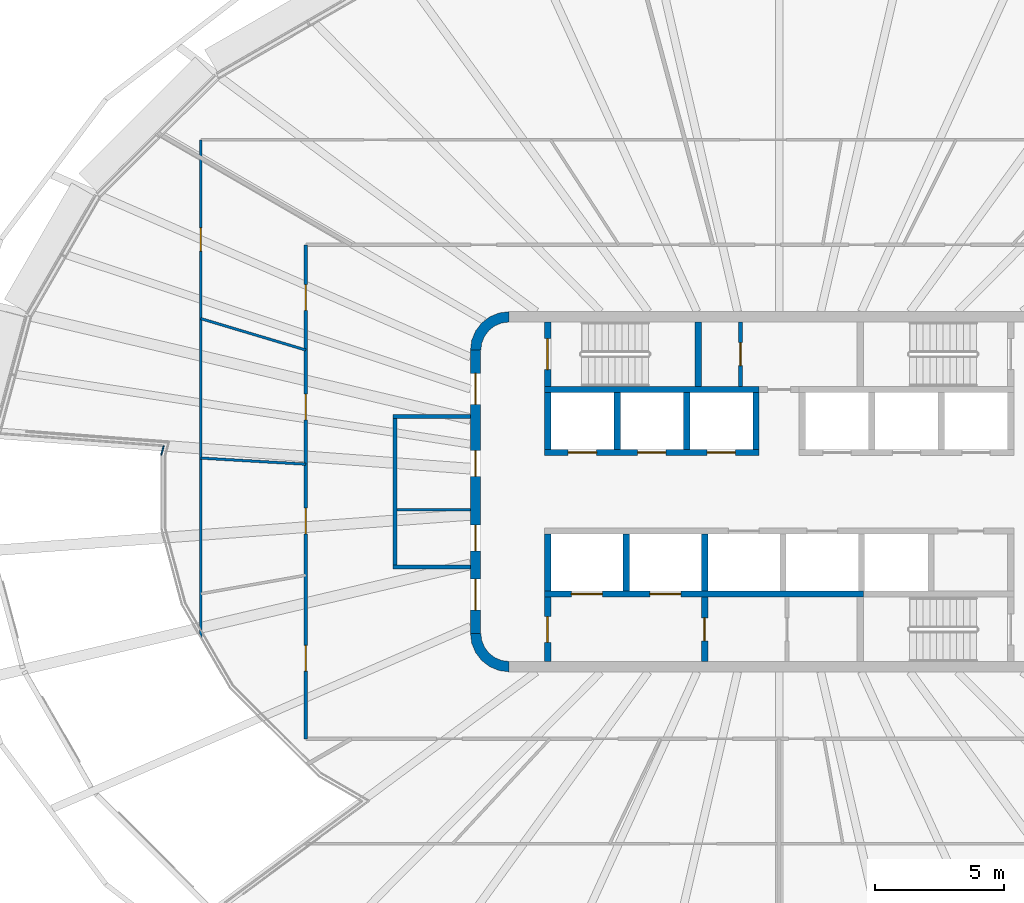
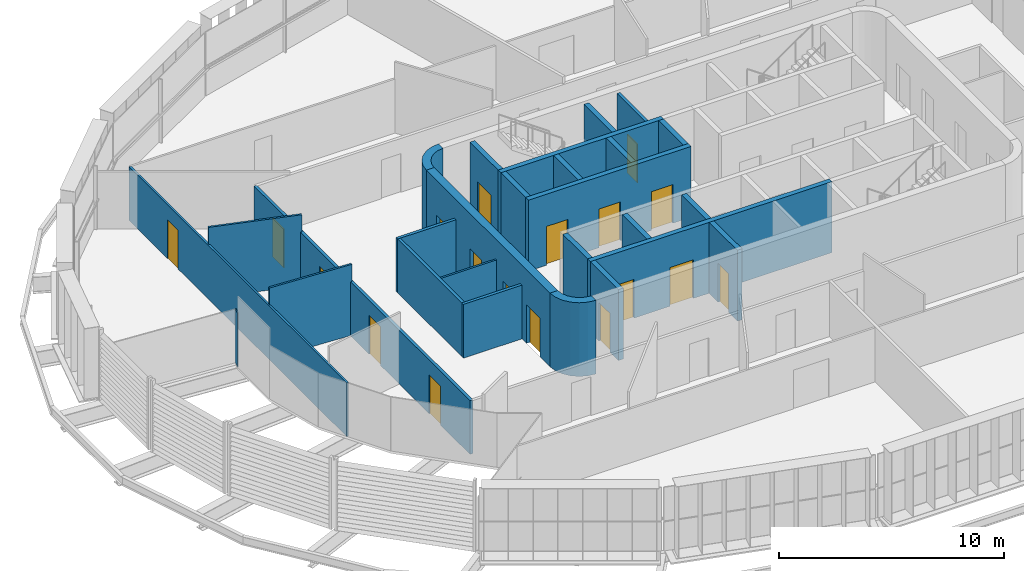
# One storey, part 10 of 20: 27 walls, 18 doors, 18 openings.
"""IFC4 building model written with IfcOpenShell, lengths in metres."""

from ifc_helpers import new_model, si_unit, direction, frame, frame_2d, origin, place, context, subcontext, project, spatial, polyline, rectangle, outline, extrude, material, layer, layer_set, type_object, element, fill, save


model = new_model("IFC4")

# Units and contexts
model_context = context("Model", 3, precision=1e-05, world=origin(), true_north=direction((0.0, 1.0)))
body_context = subcontext(model_context, "Body", "Model", "MODEL_VIEW")
ifc_project = project(units=[si_unit("LENGTHUNIT", "METRE"), si_unit("AREAUNIT", "SQUARE_METRE"), si_unit("VOLUMEUNIT", "CUBIC_METRE"), si_unit("PLANEANGLEUNIT", "RADIAN"), si_unit("MASSUNIT", "GRAM", prefix="KILO")], contexts=[model_context])

# Site, building, storey
site_placement = place(None, origin())
site = spatial("IfcSite", under=ifc_project, at=site_placement, CompositionType="ELEMENT")
building_placement = place(site_placement, origin())
building = spatial("IfcBuilding", under=site, at=building_placement, Name="Sahrelin Media Tower", CompositionType="ELEMENT")
storey_placement = place(building_placement, frame((0.0, 0.0, 225.60009765625)))
storey = spatial("IfcBuildingStorey", under=building, at=storey_placement, Name="L48", CompositionType="ELEMENT", Elevation=225.60009765625)

# Wall, openings, doors
ifc_material_1 = material(Name="Concrete C60/75", Category="concrete")
ifc_layer_1 = layer(ifc_material_1, 0.39990234375)
ifc_layer_set_1 = layer_set([ifc_layer_1], Name="Core wall 400")
wall_type_1 = type_object("IfcWallType", Name="Core wall 400", PredefinedType="SHEAR", material=ifc_layer_set_1)
wall_1_placement = place(storey_placement, frame((-11.800048828125, -5.5, 0.0), z_axis=(0.0, 0.0, 1.0), x_axis=(0.0, 1.0, 0.0)))
wall_1 = element("IfcWall", 1, at=wall_1_placement, inside=storey, type_object=wall_type_1, Name="Core wall W L48", PredefinedType="SHEAR", context=body_context, shape_type="SweptSolid", body=[
    extrude(rectangle(XDim=11.0, YDim=0.39990234375, at=frame_2d((5.5, 0.0))), origin(), (0.0, 0.0, 1.0), 4.0),
])
opening_1_placement = place(wall_1_placement, frame((3.199951171875, 0.0, 0.0)))
opening_1 = element("IfcOpeningElement", 2, at=opening_1_placement, cuts=wall_1, Name="Opening L48-D10", PredefinedType="OPENING", context=body_context, shape_type="SweptSolid", body=[
    extrude(rectangle(XDim=1.0, YDim=2.10009765625, at=frame_2d((0.5, 1.050048828125))), frame((0.0, 0.199951171875, 0.0), z_axis=(0.0, -1.0, 0.0), x_axis=(1.0, 0.0, 0.0)), (0.0, 0.0, 1.0), 0.39990234375),
])
opening_2_placement = place(wall_1_placement, frame((6.10009765625, 0.0, 0.0)))
opening_2 = element("IfcOpeningElement", 3, at=opening_2_placement, cuts=wall_1, Name="Opening L48-D11", PredefinedType="OPENING", context=body_context, shape_type="SweptSolid", body=[
    extrude(rectangle(XDim=1.0, YDim=2.10009765625, at=frame_2d((0.5, 1.050048828125))), frame((0.0, 0.199951171875, 0.0), z_axis=(0.0, -1.0, 0.0), x_axis=(1.0, 0.0, 0.0)), (0.0, 0.0, 1.0), 0.39990234375),
])
opening_3_placement = place(wall_1_placement, frame((0.89990234375, 0.0, 0.0)))
opening_3 = element("IfcOpeningElement", 4, at=opening_3_placement, cuts=wall_1, Name="Opening L48-D14", PredefinedType="OPENING", context=body_context, shape_type="SweptSolid", body=[
    extrude(rectangle(XDim=1.199951171875, YDim=2.10009765625, at=frame_2d((0.60009765625, 1.050048828125))), frame((0.0, 0.199951171875, 0.0), z_axis=(0.0, -1.0, 0.0), x_axis=(1.0, 0.0, 0.0)), (0.0, 0.0, 1.0), 0.39990234375),
])
opening_4_placement = place(wall_1_placement, frame((8.89990234375, 0.0, 0.0)))
opening_4 = element("IfcOpeningElement", 5, at=opening_4_placement, cuts=wall_1, Name="Opening L48-D15", PredefinedType="OPENING", context=body_context, shape_type="SweptSolid", body=[
    extrude(rectangle(XDim=1.199951171875, YDim=2.10009765625, at=frame_2d((0.60009765625, 1.050048828125))), frame((0.0, 0.199951171875, 0.0), z_axis=(0.0, -1.0, 0.0), x_axis=(1.0, 0.0, 0.0)), (0.0, 0.0, 1.0), 0.39990234375),
])
ifc_material_2 = material(Name="Steel fire door leaf", Category="steel")
door_type_1 = type_object("IfcDoorType", Name="Fire door 1000 x 2100 EI 60", OperationType="NOTDEFINED", PredefinedType="DOOR", material=ifc_material_2)
door_1_placement = place(opening_1_placement, origin())
door_1 = element("IfcDoor", 6, at=door_1_placement, inside=storey, type_object=door_type_1, Name="Core room door", OperationType="SINGLE_SWING_RIGHT", OverallHeight=2.10009765625, OverallWidth=1.0, PredefinedType="DOOR", context=body_context, shape_type="SweptSolid", body=[
    extrude(rectangle(XDim=1.0, YDim=2.10009765625, at=frame_2d((0.5, 1.050048828125))), frame((0.0, 0.02490234375, 0.0), z_axis=(0.0, -1.0, 0.0), x_axis=(1.0, 0.0, 0.0)), (0.0, 0.0, 1.0), 0.050048828125),
])
fill(opening_1, door_1)
door_2_placement = place(opening_2_placement, origin())
door_2 = element("IfcDoor", 7, at=door_2_placement, inside=storey, type_object=door_type_1, Name="Core room door", OperationType="SINGLE_SWING_RIGHT", OverallHeight=2.10009765625, OverallWidth=1.0, PredefinedType="DOOR", context=body_context, shape_type="SweptSolid", body=[
    extrude(rectangle(XDim=1.0, YDim=2.10009765625, at=frame_2d((0.5, 1.050048828125))), frame((0.0, 0.02490234375, 0.0), z_axis=(0.0, -1.0, 0.0), x_axis=(1.0, 0.0, 0.0)), (0.0, 0.0, 1.0), 0.050048828125),
])
fill(opening_2, door_2)
door_type_2 = type_object("IfcDoorType", Name="Lobby door 1200 x 2100 EI 60", OperationType="NOTDEFINED", PredefinedType="DOOR", material=ifc_material_2)
door_3_placement = place(opening_3_placement, origin())
door_3 = element("IfcDoor", 8, at=door_3_placement, inside=storey, type_object=door_type_2, Name="Lobby door", OperationType="SINGLE_SWING_LEFT", OverallHeight=2.10009765625, OverallWidth=1.199951171875, PredefinedType="DOOR", context=body_context, shape_type="SweptSolid", body=[
    extrude(rectangle(XDim=1.199951171875, YDim=2.10009765625, at=frame_2d((0.60009765625, 1.050048828125))), frame((0.0, 0.02490234375, 0.0), z_axis=(0.0, -1.0, 0.0), x_axis=(1.0, 0.0, 0.0)), (0.0, 0.0, 1.0), 0.050048828125),
])
fill(opening_3, door_3)
door_4_placement = place(opening_4_placement, origin())
door_4 = element("IfcDoor", 9, at=door_4_placement, inside=storey, type_object=door_type_2, Name="Lobby door", OperationType="SINGLE_SWING_LEFT", OverallHeight=2.10009765625, OverallWidth=1.199951171875, PredefinedType="DOOR", context=body_context, shape_type="SweptSolid", body=[
    extrude(rectangle(XDim=1.199951171875, YDim=2.10009765625, at=frame_2d((0.60009765625, 1.050048828125))), frame((0.0, 0.02490234375, 0.0), z_axis=(0.0, -1.0, 0.0), x_axis=(1.0, 0.0, 0.0)), (0.0, 0.0, 1.0), 0.050048828125),
])
fill(opening_4, door_4)

# Walls
placement = place(storey_placement, origin())
element("IfcWall", 10, at=placement, inside=storey, type_object=wall_type_1, Name="Core wall corner NW L48", PredefinedType="SHEAR", context=body_context, shape_type="SweptSolid", body=[
    extrude(outline(polyline([(-12.0, 5.5), (-11.596435546875, 5.5), (-11.55908203125, 5.78369140625), (-11.44970703125, 6.04833984375), (-11.275390625, 6.275390625), (-11.04833984375, 6.44970703125), (-10.78369140625, 6.55908203125), (-10.5, 6.596435546875), (-10.5, 7.0), (-10.88818359375, 6.948974609375), (-11.25, 6.799072265625), (-11.560791015625, 6.560791015625), (-11.799072265625, 6.25), (-11.948974609375, 5.88818359375), (-12.0, 5.5)])), origin(), (0.0, 0.0, 1.0), 4.0),
])
element("IfcWall", 11, at=placement, inside=storey, type_object=wall_type_1, Name="Core wall corner SW L48", PredefinedType="SHEAR", context=body_context, shape_type="SweptSolid", body=[
    extrude(outline(polyline([(-10.5, -7.0), (-10.5, -6.596435546875), (-10.78369140625, -6.55908203125), (-11.04833984375, -6.44970703125), (-11.275390625, -6.275390625), (-11.44970703125, -6.04833984375), (-11.55908203125, -5.78369140625), (-11.596435546875, -5.5), (-12.0, -5.5), (-11.948974609375, -5.88818359375), (-11.799072265625, -6.25), (-11.560791015625, -6.560791015625), (-11.25, -6.799072265625), (-10.88818359375, -6.948974609375), (-10.5, -7.0)])), origin(), (0.0, 0.0, 1.0), 4.0),
])
ifc_material_3 = material(Name="Fire-rated gypsum board partition")
ifc_layer_2 = layer(ifc_material_3, 0.10009765625)
ifc_layer_set_2 = layer_set([ifc_layer_2], Name="Fire-rated partition 100")
wall_type_2 = type_object("IfcWallType", Name="Fire-rated partition 100", PredefinedType="PARTITIONING", material=ifc_layer_set_2)
wall_4_placement = place(storey_placement, frame((-14.85009765625, -0.699951171875, 0.0), z_axis=(0.0, 0.0, 1.0), x_axis=(1.0, 0.0, 0.0)))
element("IfcWall", 12, at=wall_4_placement, inside=storey, type_object=wall_type_2, Name="Core room partition", PredefinedType="PARTITIONING", context=body_context, shape_type="SweptSolid", body=[
    extrude(rectangle(XDim=2.85009765625, YDim=0.10009765625, at=frame_2d((1.425048828125, 0.0))), origin(), (0.0, 0.0, 1.0), 2.918212890625),
])

# Wall, opening, door
ifc_layer_3 = layer(ifc_material_3, 0.14990234375)
ifc_layer_set_3 = layer_set([ifc_layer_3], Name="Fire-rated partition 150")
wall_type_3 = type_object("IfcWallType", Name="Fire-rated partition 150", PredefinedType="PARTITIONING", material=ifc_layer_set_3)
wall_5_placement = place(storey_placement, frame((-1.5, 4.10009765625, 0.0), z_axis=(0.0, 0.0, 1.0), x_axis=(0.0, 1.0, 0.0)))
wall_5 = element("IfcWall", 13, at=wall_5_placement, inside=storey, type_object=wall_type_3, Name="Core room fire partition", PredefinedType="PARTITIONING", context=body_context, shape_type="SweptSolid", body=[
    extrude(rectangle(XDim=2.5, YDim=0.14990234375, at=frame_2d((1.25, 0.0))), origin(), (0.0, 0.0, 1.0), 3.849853515625),
])
opening_5_placement = place(wall_5_placement, frame((0.800048828125, 0.0, 0.0)))
opening_5 = element("IfcOpeningElement", 14, at=opening_5_placement, cuts=wall_5, Name="Opening L48-D07", PredefinedType="OPENING", context=body_context, shape_type="SweptSolid", body=[
    extrude(rectangle(XDim=0.89990234375, YDim=2.10009765625, at=frame_2d((0.449951171875, 1.050048828125))), frame((0.0, 0.074951171875, 0.0), z_axis=(0.0, -1.0, 0.0), x_axis=(1.0, 0.0, 0.0)), (0.0, 0.0, 1.0), 0.14990234375),
])
door_type_3 = type_object("IfcDoorType", Name="Fire door 900 x 2100 EI 60", OperationType="NOTDEFINED", PredefinedType="DOOR", material=ifc_material_2)
door_5_placement = place(opening_5_placement, origin())
door_5 = element("IfcDoor", 15, at=door_5_placement, inside=storey, type_object=door_type_3, Name="Core room door", OperationType="SINGLE_SWING_LEFT", OverallHeight=2.10009765625, OverallWidth=0.89990234375, PredefinedType="DOOR", context=body_context, shape_type="SweptSolid", body=[
    extrude(rectangle(XDim=0.89990234375, YDim=2.10009765625, at=frame_2d((0.449951171875, 1.050048828125))), frame((0.0, 0.02490234375, 0.0), z_axis=(0.0, -1.0, 0.0), x_axis=(1.0, 0.0, 0.0)), (0.0, 0.0, 1.0), 0.050048828125),
])
fill(opening_5, door_5)

# Walls
wall_6_placement = place(storey_placement, frame((-14.925048828125, -2.85009765625, 0.0), z_axis=(0.0, 0.0, 1.0), x_axis=(0.0, 1.0, 0.0)))
element("IfcWall", 16, at=wall_6_placement, inside=storey, type_object=wall_type_3, Name="Core room fire partition", PredefinedType="PARTITIONING", context=body_context, shape_type="SweptSolid", body=[
    extrude(rectangle(XDim=5.7001953125, YDim=0.14990234375, at=frame_2d((2.85009765625, 0.0))), origin(), (0.0, 0.0, 1.0), 2.918212890625),
])
for number, where, z_axis, x_axis, name in (
    (17, (-15.0, 2.925048828125, 0.0), (0.0, 0.0, 1.0), (1.0, 0.0, 0.0), "Core room fire partition"),
    (18, (-15.0, -2.925048828125, 0.0), (0.0, 0.0, 1.0), (1.0, 0.0, 0.0), "Core room fire partition"),
):
    element("IfcWall", number, at=place(storey_placement, frame(where, z_axis=z_axis, x_axis=x_axis)), inside=storey, type_object=wall_type_3, Name=name, PredefinedType="PARTITIONING", context=body_context, shape_type="SweptSolid", body=[
        extrude(rectangle(XDim=3.0, YDim=0.14990234375, at=frame_2d((1.5, 0.0))), origin(), (0.0, 0.0, 1.0), 2.918212890625),
    ])

# Wall, openings, doors
wall_7_placement = place(storey_placement, frame((-18.39990234375, -9.60009765625, 0.0), z_axis=(0.0, 0.0, 1.0), x_axis=(0.0, 1.0, 0.0)))
wall_7 = element("IfcWall", 19, at=wall_7_placement, inside=storey, type_object=wall_type_3, Name="Wall", PredefinedType="PARTITIONING", context=body_context, shape_type="SweptSolid", body=[
    extrude(rectangle(XDim=19.2001953125, YDim=0.14990234375, at=frame_2d((9.60009765625, 0.0))), origin(), (0.0, 0.0, 1.0), 2.918212890625),
])
opening_6_placement = place(wall_7_placement, frame((16.654541015625, 0.0, 0.0)))
opening_6 = element("IfcOpeningElement", 20, at=opening_6_placement, cuts=wall_7, Name="Opening L48-D18", PredefinedType="OPENING", context=body_context, shape_type="SweptSolid", body=[
    extrude(rectangle(XDim=1.0, YDim=2.10009765625, at=frame_2d((0.5, 1.050048828125))), frame((0.0, 0.074951171875, 0.0), z_axis=(0.0, -1.0, 0.0), x_axis=(1.0, 0.0, 0.0)), (0.0, 0.0, 1.0), 0.14990234375),
])
opening_7_placement = place(wall_7_placement, frame((12.390380859375, 0.0, 0.0)))
opening_7 = element("IfcOpeningElement", 21, at=opening_7_placement, cuts=wall_7, Name="Opening L48-D19", PredefinedType="OPENING", context=body_context, shape_type="SweptSolid", body=[
    extrude(rectangle(XDim=1.0, YDim=2.10009765625, at=frame_2d((0.5, 1.050048828125))), frame((0.0, 0.074951171875, 0.0), z_axis=(0.0, -1.0, 0.0), x_axis=(1.0, 0.0, 0.0)), (0.0, 0.0, 1.0), 0.14990234375),
])
opening_8_placement = place(wall_7_placement, frame((7.963134765625, 0.0, 0.0)))
opening_8 = element("IfcOpeningElement", 22, at=opening_8_placement, cuts=wall_7, Name="Opening L48-D20", PredefinedType="OPENING", context=body_context, shape_type="SweptSolid", body=[
    extrude(rectangle(XDim=1.0, YDim=2.10009765625, at=frame_2d((0.5, 1.050048828125))), frame((0.0, 0.074951171875, 0.0), z_axis=(0.0, -1.0, 0.0), x_axis=(1.0, 0.0, 0.0)), (0.0, 0.0, 1.0), 0.14990234375),
])
opening_9_placement = place(wall_7_placement, frame((2.626708984375, 0.0, 0.0)))
opening_9 = element("IfcOpeningElement", 23, at=opening_9_placement, cuts=wall_7, Name="Opening L48-D21", PredefinedType="OPENING", context=body_context, shape_type="SweptSolid", body=[
    extrude(rectangle(XDim=1.0, YDim=2.10009765625, at=frame_2d((0.5, 1.050048828125))), frame((0.0, 0.074951171875, 0.0), z_axis=(0.0, -1.0, 0.0), x_axis=(1.0, 0.0, 0.0)), (0.0, 0.0, 1.0), 0.14990234375),
])
door_6_placement = place(opening_6_placement, origin())
door_6 = element("IfcDoor", 24, at=door_6_placement, inside=storey, type_object=door_type_1, Name="Fire door", OperationType="SINGLE_SWING_LEFT", OverallHeight=2.10009765625, OverallWidth=1.0, PredefinedType="DOOR", context=body_context, shape_type="SweptSolid", body=[
    extrude(rectangle(XDim=1.0, YDim=2.10009765625, at=frame_2d((0.5, 1.050048828125))), frame((0.0, 0.02490234375, 0.0), z_axis=(0.0, -1.0, 0.0), x_axis=(1.0, 0.0, 0.0)), (0.0, 0.0, 1.0), 0.050048828125),
])
fill(opening_6, door_6)
door_7_placement = place(opening_7_placement, origin())
door_7 = element("IfcDoor", 25, at=door_7_placement, inside=storey, type_object=door_type_1, Name="Fire door", OperationType="SINGLE_SWING_LEFT", OverallHeight=2.10009765625, OverallWidth=1.0, PredefinedType="DOOR", context=body_context, shape_type="SweptSolid", body=[
    extrude(rectangle(XDim=1.0, YDim=2.10009765625, at=frame_2d((0.5, 1.050048828125))), frame((0.0, 0.02490234375, 0.0), z_axis=(0.0, -1.0, 0.0), x_axis=(1.0, 0.0, 0.0)), (0.0, 0.0, 1.0), 0.050048828125),
])
fill(opening_7, door_7)
door_8_placement = place(opening_8_placement, origin())
door_8 = element("IfcDoor", 26, at=door_8_placement, inside=storey, type_object=door_type_1, Name="Fire door", OperationType="SINGLE_SWING_LEFT", OverallHeight=2.10009765625, OverallWidth=1.0, PredefinedType="DOOR", context=body_context, shape_type="SweptSolid", body=[
    extrude(rectangle(XDim=1.0, YDim=2.10009765625, at=frame_2d((0.5, 1.050048828125))), frame((0.0, 0.02490234375, 0.0), z_axis=(0.0, -1.0, 0.0), x_axis=(1.0, 0.0, 0.0)), (0.0, 0.0, 1.0), 0.050048828125),
])
fill(opening_8, door_8)
door_9_placement = place(opening_9_placement, origin())
door_9 = element("IfcDoor", 27, at=door_9_placement, inside=storey, type_object=door_type_1, Name="Fire door", OperationType="SINGLE_SWING_LEFT", OverallHeight=2.10009765625, OverallWidth=1.0, PredefinedType="DOOR", context=body_context, shape_type="SweptSolid", body=[
    extrude(rectangle(XDim=1.0, YDim=2.10009765625, at=frame_2d((0.5, 1.050048828125))), frame((0.0, 0.02490234375, 0.0), z_axis=(0.0, -1.0, 0.0), x_axis=(1.0, 0.0, 0.0)), (0.0, 0.0, 1.0), 0.050048828125),
])
fill(opening_9, door_9)

# Wall, opening, door
ifc_layer_4 = layer(ifc_material_3, 0.25)
ifc_layer_set_4 = layer_set([ifc_layer_4], Name="Firefighting lobby wall 250")
wall_type_4 = type_object("IfcWallType", Name="Firefighting lobby wall 250", PredefinedType="PARTITIONING", material=ifc_layer_set_4)
wall_8_placement = place(storey_placement, frame((-9.0, -6.60009765625, 0.0), z_axis=(0.0, 0.0, 1.0), x_axis=(0.0, 1.0, 0.0)))
wall_8 = element("IfcWall", 28, at=wall_8_placement, inside=storey, type_object=wall_type_4, Name="Core wall", PredefinedType="PARTITIONING", context=body_context, shape_type="SweptSolid", body=[
    extrude(rectangle(XDim=2.5, YDim=0.25, at=frame_2d((1.25, 0.0))), origin(), (0.0, 0.0, 1.0), 3.849853515625),
])
opening_10_placement = place(wall_8_placement, frame((0.75, 0.0, 0.0)))
opening_10 = element("IfcOpeningElement", 29, at=opening_10_placement, cuts=wall_8, Name="Opening L48-D04", PredefinedType="OPENING", context=body_context, shape_type="SweptSolid", body=[
    extrude(rectangle(XDim=1.0, YDim=2.10009765625, at=frame_2d((0.5, 1.050048828125))), frame((0.0, 0.125, 0.0), z_axis=(0.0, -1.0, 0.0), x_axis=(1.0, 0.0, 0.0)), (0.0, 0.0, 1.0), 0.25),
])
door_type_4 = type_object("IfcDoorType", Name="Firefighting lobby door 1000 x 2100 EI 120", OperationType="NOTDEFINED", PredefinedType="DOOR", material=ifc_material_2)
door_10_placement = place(opening_10_placement, origin())
door_10 = element("IfcDoor", 30, at=door_10_placement, inside=storey, type_object=door_type_4, Name="Firefighting lobby door", OperationType="SINGLE_SWING_LEFT", OverallHeight=2.10009765625, OverallWidth=1.0, PredefinedType="DOOR", context=body_context, shape_type="SweptSolid", body=[
    extrude(rectangle(XDim=1.0, YDim=2.10009765625, at=frame_2d((0.5, 1.050048828125))), frame((0.0, 0.02490234375, 0.0), z_axis=(0.0, -1.0, 0.0), x_axis=(1.0, 0.0, 0.0)), (0.0, 0.0, 1.0), 0.050048828125),
])
fill(opening_10, door_10)

wall_9_placement = place(storey_placement, frame((-2.89990234375, -6.60009765625, 0.0), z_axis=(0.0, 0.0, 1.0), x_axis=(0.0, 1.0, 0.0)))
wall_9 = element("IfcWall", 31, at=wall_9_placement, inside=storey, type_object=wall_type_4, Name="Core wall", PredefinedType="PARTITIONING", context=body_context, shape_type="SweptSolid", body=[
    extrude(rectangle(XDim=2.5, YDim=0.25, at=frame_2d((1.25, 0.0))), origin(), (0.0, 0.0, 1.0), 3.849853515625),
])
opening_11_placement = place(wall_9_placement, frame((0.800048828125, 0.0, 0.0)))
opening_11 = element("IfcOpeningElement", 32, at=opening_11_placement, cuts=wall_9, Name="Opening L48-D05", PredefinedType="OPENING", context=body_context, shape_type="SweptSolid", body=[
    extrude(rectangle(XDim=0.89990234375, YDim=2.10009765625, at=frame_2d((0.449951171875, 1.050048828125))), frame((0.0, 0.125, 0.0), z_axis=(0.0, -1.0, 0.0), x_axis=(1.0, 0.0, 0.0)), (0.0, 0.0, 1.0), 0.25),
])
door_type_5 = type_object("IfcDoorType", Name="Firefighting lobby door 900 x 2100 EI 120", OperationType="NOTDEFINED", PredefinedType="DOOR", material=ifc_material_2)
door_11_placement = place(opening_11_placement, origin())
door_11 = element("IfcDoor", 33, at=door_11_placement, inside=storey, type_object=door_type_5, Name="Riser door", OperationType="SINGLE_SWING_RIGHT", OverallHeight=2.10009765625, OverallWidth=0.89990234375, PredefinedType="DOOR", context=body_context, shape_type="SweptSolid", body=[
    extrude(rectangle(XDim=0.89990234375, YDim=2.10009765625, at=frame_2d((0.449951171875, 1.050048828125))), frame((0.0, 0.02490234375, 0.0), z_axis=(0.0, -1.0, 0.0), x_axis=(1.0, 0.0, 0.0)), (0.0, 0.0, 1.0), 0.050048828125),
])
fill(opening_11, door_11)

# Wall
ifc_material_4 = material(Name="Clear glass", Category="glass")
ifc_layer_5 = layer(ifc_material_4, 0.050048828125)
ifc_layer_set_5 = layer_set([ifc_layer_5], Name="Glazed partition 50")
wall_type_5 = type_object("IfcWallType", Name="Glazed partition 50", PredefinedType="PARTITIONING", material=ifc_layer_set_5)
wall_10_placement = place(storey_placement, frame((-24.01904296875, 1.424072265625, 0.0), z_axis=(0.0, 0.0, 1.0), x_axis=(0.260974429676, 0.96534571375, 0.0)))
element("IfcWall", 34, at=wall_10_placement, inside=storey, type_object=wall_type_5, Name="Wall", PredefinedType="PARTITIONING", context=body_context, shape_type="SweptSolid", body=[
    extrude(rectangle(XDim=0.3759765625, YDim=0.050048828125, at=frame_2d((0.18798828125, 0.0))), origin(), (0.0, 0.0, 1.0), 2.918212890625),
])

# Wall, openings, doors
ifc_layer_6 = layer(ifc_material_1, 0.25)
ifc_layer_set_6 = layer_set([ifc_layer_6], Name="Lift shaft wall 250")
wall_type_6 = type_object("IfcWallType", Name="Lift shaft wall 250", PredefinedType="SOLIDWALL", material=ifc_layer_set_6)
wall_11_placement = place(storey_placement, frame((-9.125, 1.52490234375, 0.0), z_axis=(0.0, 0.0, 1.0), x_axis=(1.0, 0.0, 0.0)))
wall_11 = element("IfcWall", 35, at=wall_11_placement, inside=storey, type_object=wall_type_6, Name="Lift shaft wall", PredefinedType="SOLIDWALL", context=body_context, shape_type="SweptSolid", body=[
    extrude(rectangle(XDim=8.35009765625, YDim=0.25, at=frame_2d((4.175048828125, 0.0))), origin(), (0.0, 0.0, 1.0), 3.849853515625),
])
opening_12_placement = place(wall_11_placement, frame((0.925048828125, 0.0, 0.0)))
opening_12 = element("IfcOpeningElement", 36, at=opening_12_placement, cuts=wall_11, Name="Opening L48-LD-HR1", PredefinedType="OPENING", context=body_context, shape_type="SweptSolid", body=[
    extrude(rectangle(XDim=1.10009765625, YDim=2.10009765625, at=frame_2d((0.550048828125, 1.050048828125))), frame((0.0, 0.125, 0.0), z_axis=(0.0, -1.0, 0.0), x_axis=(1.0, 0.0, 0.0)), (0.0, 0.0, 1.0), 0.25),
])
opening_13_placement = place(wall_11_placement, frame((3.625, 0.0, 0.0)))
opening_13 = element("IfcOpeningElement", 37, at=opening_13_placement, cuts=wall_11, Name="Opening L48-LD-HR2", PredefinedType="OPENING", context=body_context, shape_type="SweptSolid", body=[
    extrude(rectangle(XDim=1.10009765625, YDim=2.10009765625, at=frame_2d((0.550048828125, 1.050048828125))), frame((0.0, 0.125, 0.0), z_axis=(0.0, -1.0, 0.0), x_axis=(1.0, 0.0, 0.0)), (0.0, 0.0, 1.0), 0.25),
])
opening_14_placement = place(wall_11_placement, frame((6.324951171875, 0.0, 0.0)))
opening_14 = element("IfcOpeningElement", 38, at=opening_14_placement, cuts=wall_11, Name="Opening L48-LD-HR3", PredefinedType="OPENING", context=body_context, shape_type="SweptSolid", body=[
    extrude(rectangle(XDim=1.10009765625, YDim=2.10009765625, at=frame_2d((0.550048828125, 1.050048828125))), frame((0.0, 0.125, 0.0), z_axis=(0.0, -1.0, 0.0), x_axis=(1.0, 0.0, 0.0)), (0.0, 0.0, 1.0), 0.25),
])
ifc_material_5 = material(Name="Stainless steel", Category="steel")
door_type_6 = type_object("IfcDoorType", Name="Lift landing door 1100 x 2100 EI 120", OperationType="DOUBLE_DOOR_SLIDING", PredefinedType="DOOR", material=ifc_material_5)
door_12_placement = place(opening_12_placement, origin())
door_12 = element("IfcDoor", 39, at=door_12_placement, inside=storey, type_object=door_type_6, Name="Lift landing door HR1", OperationType="DOUBLE_DOOR_SLIDING", OverallHeight=2.10009765625, OverallWidth=1.10009765625, PredefinedType="DOOR", context=body_context, shape_type="SweptSolid", body=[
    extrude(rectangle(XDim=1.10009765625, YDim=2.10009765625, at=frame_2d((0.550048828125, 1.050048828125))), frame((0.0, 0.02490234375, 0.0), z_axis=(0.0, -1.0, 0.0), x_axis=(1.0, 0.0, 0.0)), (0.0, 0.0, 1.0), 0.050048828125),
])
fill(opening_12, door_12)
door_13_placement = place(opening_13_placement, origin())
door_13 = element("IfcDoor", 40, at=door_13_placement, inside=storey, type_object=door_type_6, Name="Lift landing door HR2", OperationType="DOUBLE_DOOR_SLIDING", OverallHeight=2.10009765625, OverallWidth=1.10009765625, PredefinedType="DOOR", context=body_context, shape_type="SweptSolid", body=[
    extrude(rectangle(XDim=1.10009765625, YDim=2.10009765625, at=frame_2d((0.550048828125, 1.050048828125))), frame((0.0, 0.02490234375, 0.0), z_axis=(0.0, -1.0, 0.0), x_axis=(1.0, 0.0, 0.0)), (0.0, 0.0, 1.0), 0.050048828125),
])
fill(opening_13, door_13)
door_14_placement = place(opening_14_placement, origin())
door_14 = element("IfcDoor", 41, at=door_14_placement, inside=storey, type_object=door_type_6, Name="Lift landing door HR3", OperationType="DOUBLE_DOOR_SLIDING", OverallHeight=2.10009765625, OverallWidth=1.10009765625, PredefinedType="DOOR", context=body_context, shape_type="SweptSolid", body=[
    extrude(rectangle(XDim=1.10009765625, YDim=2.10009765625, at=frame_2d((0.550048828125, 1.050048828125))), frame((0.0, 0.02490234375, 0.0), z_axis=(0.0, -1.0, 0.0), x_axis=(1.0, 0.0, 0.0)), (0.0, 0.0, 1.0), 0.050048828125),
])
fill(opening_14, door_14)

# Walls
wall_12_placement = place(storey_placement, frame((-9.125, 3.97509765625, 0.0), z_axis=(0.0, 0.0, 1.0), x_axis=(1.0, 0.0, 0.0)))
element("IfcWall", 42, at=wall_12_placement, inside=storey, type_object=wall_type_6, Name="Lift shaft wall", PredefinedType="SOLIDWALL", context=body_context, shape_type="SweptSolid", body=[
    extrude(rectangle(XDim=8.35009765625, YDim=0.25, at=frame_2d((4.175048828125, 0.0))), origin(), (0.0, 0.0, 1.0), 3.849853515625),
])
for number, where, z_axis, x_axis, name in (
    (43, (-9.0, 1.64990234375, 0.0), (0.0, 0.0, 1.0), (0.0, 1.0, 0.0), "Lift shaft wall"),
    (44, (-6.300048828125, 1.64990234375, 0.0), (0.0, 0.0, 1.0), (0.0, 1.0, 0.0), "Lift shaft wall"),
    (45, (-3.60009765625, 1.64990234375, 0.0), (0.0, 0.0, 1.0), (0.0, 1.0, 0.0), "Lift shaft wall"),
    (46, (-0.89990234375, 1.64990234375, 0.0), (0.0, 0.0, 1.0), (0.0, 1.0, 0.0), "Lift shaft wall"),
):
    element("IfcWall", number, at=place(storey_placement, frame(where, z_axis=z_axis, x_axis=x_axis)), inside=storey, type_object=wall_type_6, Name=name, PredefinedType="SOLIDWALL", context=body_context, shape_type="SweptSolid", body=[
        extrude(rectangle(XDim=2.2001953125, YDim=0.25, at=frame_2d((1.10009765625, 0.0))), origin(), (0.0, 0.0, 1.0), 3.849853515625),
    ])

# Wall, openings, doors
wall_13_placement = place(storey_placement, frame((-9.125, -3.97509765625, 0.0), z_axis=(0.0, 0.0, 1.0), x_axis=(1.0, 0.0, 0.0)))
wall_13 = element("IfcWall", 47, at=wall_13_placement, inside=storey, type_object=wall_type_6, Name="Lift shaft wall", PredefinedType="SOLIDWALL", context=body_context, shape_type="SweptSolid", body=[
    extrude(rectangle(XDim=12.39990234375, YDim=0.25, at=frame_2d((6.199951171875, 0.0))), origin(), (0.0, 0.0, 1.0), 3.849853515625),
])
opening_15_placement = place(wall_13_placement, frame((1.050048828125, 0.0, 0.0)))
opening_15 = element("IfcOpeningElement", 48, at=opening_15_placement, cuts=wall_13, Name="Opening L48-LD-FF1", PredefinedType="OPENING", context=body_context, shape_type="SweptSolid", body=[
    extrude(rectangle(XDim=1.199951171875, YDim=2.10009765625, at=frame_2d((0.60009765625, 1.050048828125))), frame((0.0, 0.125, 0.0), z_axis=(0.0, -1.0, 0.0), x_axis=(1.0, 0.0, 0.0)), (0.0, 0.0, 1.0), 0.25),
])
opening_16_placement = place(wall_13_placement, frame((4.10009765625, 0.0, 0.0)))
opening_16 = element("IfcOpeningElement", 49, at=opening_16_placement, cuts=wall_13, Name="Opening L48-LD-FF2", PredefinedType="OPENING", context=body_context, shape_type="SweptSolid", body=[
    extrude(rectangle(XDim=1.199951171875, YDim=2.10009765625, at=frame_2d((0.60009765625, 1.050048828125))), frame((0.0, 0.125, 0.0), z_axis=(0.0, -1.0, 0.0), x_axis=(1.0, 0.0, 0.0)), (0.0, 0.0, 1.0), 0.25),
])
door_type_7 = type_object("IfcDoorType", Name="Lift landing door 1200 x 2100 EI 120", OperationType="DOUBLE_DOOR_SLIDING", PredefinedType="DOOR", material=ifc_material_5)
door_15_placement = place(opening_15_placement, origin())
door_15 = element("IfcDoor", 50, at=door_15_placement, inside=storey, type_object=door_type_7, Name="Lift landing door FF1", OperationType="DOUBLE_DOOR_SLIDING", OverallHeight=2.10009765625, OverallWidth=1.199951171875, PredefinedType="DOOR", context=body_context, shape_type="SweptSolid", body=[
    extrude(rectangle(XDim=1.199951171875, YDim=2.10009765625, at=frame_2d((0.60009765625, 1.050048828125))), frame((0.0, 0.02490234375, 0.0), z_axis=(0.0, -1.0, 0.0), x_axis=(1.0, 0.0, 0.0)), (0.0, 0.0, 1.0), 0.050048828125),
])
fill(opening_15, door_15)
door_16_placement = place(opening_16_placement, origin())
door_16 = element("IfcDoor", 51, at=door_16_placement, inside=storey, type_object=door_type_7, Name="Lift landing door FF2", OperationType="DOUBLE_DOOR_SLIDING", OverallHeight=2.10009765625, OverallWidth=1.199951171875, PredefinedType="DOOR", context=body_context, shape_type="SweptSolid", body=[
    extrude(rectangle(XDim=1.199951171875, YDim=2.10009765625, at=frame_2d((0.60009765625, 1.050048828125))), frame((0.0, 0.02490234375, 0.0), z_axis=(0.0, -1.0, 0.0), x_axis=(1.0, 0.0, 0.0)), (0.0, 0.0, 1.0), 0.050048828125),
])
fill(opening_16, door_16)

# Walls
for number, where, z_axis, x_axis, name in (
    (52, (-9.0, -3.85009765625, 0.0), (0.0, 0.0, 1.0), (0.0, 1.0, 0.0), "Lift shaft wall"),
    (53, (-5.949951171875, -3.85009765625, 0.0), (0.0, 0.0, 1.0), (0.0, 1.0, 0.0), "Lift shaft wall"),
    (54, (-2.89990234375, -3.85009765625, 0.0), (0.0, 0.0, 1.0), (0.0, 1.0, 0.0), "Lift shaft wall"),
):
    element("IfcWall", number, at=place(storey_placement, frame(where, z_axis=z_axis, x_axis=x_axis)), inside=storey, type_object=wall_type_6, Name=name, PredefinedType="SOLIDWALL", context=body_context, shape_type="SweptSolid", body=[
        extrude(rectangle(XDim=2.2001953125, YDim=0.25, at=frame_2d((1.10009765625, 0.0))), origin(), (0.0, 0.0, 1.0), 3.849853515625),
    ])
ifc_material_6 = material(Name="Gypsum board partition")
ifc_layer_7 = layer(ifc_material_6, 0.10009765625)
ifc_layer_set_7 = layer_set([ifc_layer_7], Name="Partition 100")
wall_type_7 = type_object("IfcWallType", Name="Partition 100", PredefinedType="PARTITIONING", material=ifc_layer_set_7)
wall_14_placement = place(storey_placement, frame((-22.47998046875, 6.72998046875, 0.0), z_axis=(0.0, 0.0, 1.0), x_axis=(0.958024854744, -0.286685154295, 0.0)))
element("IfcWall", 55, at=wall_14_placement, inside=storey, type_object=wall_type_7, Name="Wall", PredefinedType="PARTITIONING", context=body_context, shape_type="SweptSolid", body=[
    extrude(rectangle(XDim=4.2587890625, YDim=0.10009765625, at=frame_2d((2.12939453125, 0.0))), origin(), (0.0, 0.0, 1.0), 3.849853515625),
])
wall_15_placement = place(storey_placement, frame((-22.47998046875, 1.30908203125, 0.0), z_axis=(0.0, 0.0, 1.0), x_axis=(0.998316342586, -0.058004138861, 0.0)))
element("IfcWall", 56, at=wall_15_placement, inside=storey, type_object=wall_type_7, Name="Wall", PredefinedType="PARTITIONING", context=body_context, shape_type="SweptSolid", body=[
    extrude(rectangle(XDim=4.0869140625, YDim=0.10009765625, at=frame_2d((2.04345703125, 0.0))), origin(), (0.0, 0.0, 1.0), 3.849853515625),
])

# Wall, opening, door
wall_16_placement = place(storey_placement, frame((-22.47998046875, -5.6708984375, 0.0), z_axis=(0.0, 0.0, 1.0), x_axis=(0.0, 1.0, 0.0)))
wall_16 = element("IfcWall", 57, at=wall_16_placement, inside=storey, type_object=wall_type_7, Name="Wall", PredefinedType="PARTITIONING", context=body_context, shape_type="SweptSolid", body=[
    extrude(rectangle(XDim=19.350830078125, YDim=0.10009765625, at=frame_2d((9.67529296875, 0.0))), origin(), (0.0, 0.0, 1.0), 2.918212890625),
])
opening_17_placement = place(wall_16_placement, frame((15.02490234375, 0.0, 0.0)))
opening_17 = element("IfcOpeningElement", 58, at=opening_17_placement, cuts=wall_16, Name="Opening L48-D22", PredefinedType="OPENING", context=body_context, shape_type="SweptSolid", body=[
    extrude(rectangle(XDim=0.89990234375, YDim=2.10009765625, at=frame_2d((0.449951171875, 1.050048828125))), frame((0.0, 0.050048828125, 0.0), z_axis=(0.0, -1.0, 0.0), x_axis=(1.0, 0.0, 0.0)), (0.0, 0.0, 1.0), 0.10009765625),
])
ifc_material_7 = material(Name="Timber door leaf", Category="wood")
door_type_8 = type_object("IfcDoorType", Name="Single door 900 x 2100", OperationType="NOTDEFINED", PredefinedType="DOOR", material=ifc_material_7)
door_17_placement = place(opening_17_placement, origin())
door_17 = element("IfcDoor", 59, at=door_17_placement, inside=storey, type_object=door_type_8, Name="Single door", OperationType="SINGLE_SWING_RIGHT", OverallHeight=2.10009765625, OverallWidth=0.89990234375, PredefinedType="DOOR", context=body_context, shape_type="SweptSolid", body=[
    extrude(rectangle(XDim=0.89990234375, YDim=2.10009765625, at=frame_2d((0.449951171875, 1.050048828125))), frame((0.0, 0.02490234375, 0.0), z_axis=(0.0, -1.0, 0.0), x_axis=(1.0, 0.0, 0.0)), (0.0, 0.0, 1.0), 0.050048828125),
])
fill(opening_17, door_17)

ifc_layer_8 = layer(ifc_material_1, 0.25)
ifc_layer_set_8 = layer_set([ifc_layer_8], Name="Stair enclosure wall 250")
wall_type_8 = type_object("IfcWallType", Name="Stair enclosure wall 250", PredefinedType="SOLIDWALL", material=ifc_layer_set_8)
wall_17_placement = place(storey_placement, frame((-9.0, 4.10009765625, 0.0), z_axis=(0.0, 0.0, 1.0), x_axis=(0.0, 1.0, 0.0)))
wall_17 = element("IfcWall", 60, at=wall_17_placement, inside=storey, type_object=wall_type_8, Name="Stair enclosure wall", PredefinedType="SOLIDWALL", context=body_context, shape_type="SweptSolid", body=[
    extrude(rectangle(XDim=2.5, YDim=0.25, at=frame_2d((1.25, 0.0))), origin(), (0.0, 0.0, 1.0), 3.849853515625),
])
opening_18_placement = place(wall_17_placement, frame((0.64990234375, 0.0, 0.0)))
opening_18 = element("IfcOpeningElement", 61, at=opening_18_placement, cuts=wall_17, Name="Opening L48-D01", PredefinedType="OPENING", context=body_context, shape_type="SweptSolid", body=[
    extrude(rectangle(XDim=1.199951171875, YDim=2.10009765625, at=frame_2d((0.60009765625, 1.050048828125))), frame((0.0, 0.125, 0.0), z_axis=(0.0, -1.0, 0.0), x_axis=(1.0, 0.0, 0.0)), (0.0, 0.0, 1.0), 0.25),
])
door_type_9 = type_object("IfcDoorType", Name="Stair door 1200 x 2100 EI 120", OperationType="NOTDEFINED", PredefinedType="DOOR", material=ifc_material_2)
door_18_placement = place(opening_18_placement, origin())
door_18 = element("IfcDoor", 62, at=door_18_placement, inside=storey, type_object=door_type_9, Name="Stair door ST1", OperationType="SINGLE_SWING_RIGHT", OverallHeight=2.10009765625, OverallWidth=1.199951171875, PredefinedType="DOOR", context=body_context, shape_type="SweptSolid", body=[
    extrude(rectangle(XDim=1.199951171875, YDim=2.10009765625, at=frame_2d((0.60009765625, 1.050048828125))), frame((0.0, 0.02490234375, 0.0), z_axis=(0.0, -1.0, 0.0), x_axis=(1.0, 0.0, 0.0)), (0.0, 0.0, 1.0), 0.050048828125),
])
fill(opening_18, door_18)

# Wall
wall_18_placement = place(storey_placement, frame((-3.14990234375, 4.10009765625, 0.0), z_axis=(0.0, 0.0, 1.0), x_axis=(0.0, 1.0, 0.0)))
element("IfcWall", 63, at=wall_18_placement, inside=storey, type_object=wall_type_8, Name="Stair enclosure wall", PredefinedType="SOLIDWALL", context=body_context, shape_type="SweptSolid", body=[
    extrude(rectangle(XDim=2.5, YDim=0.25, at=frame_2d((1.25, 0.0))), origin(), (0.0, 0.0, 1.0), 3.849853515625),
])

save(model, "model.ifc")
